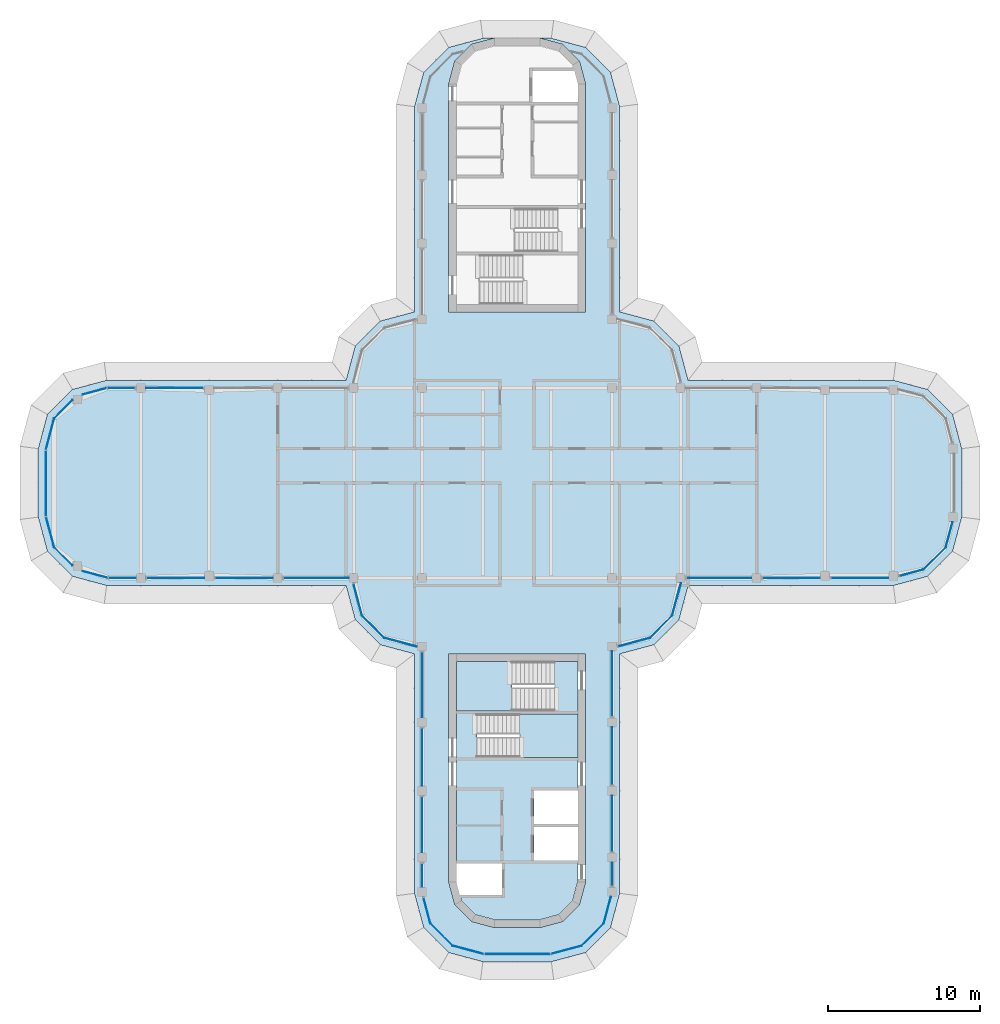
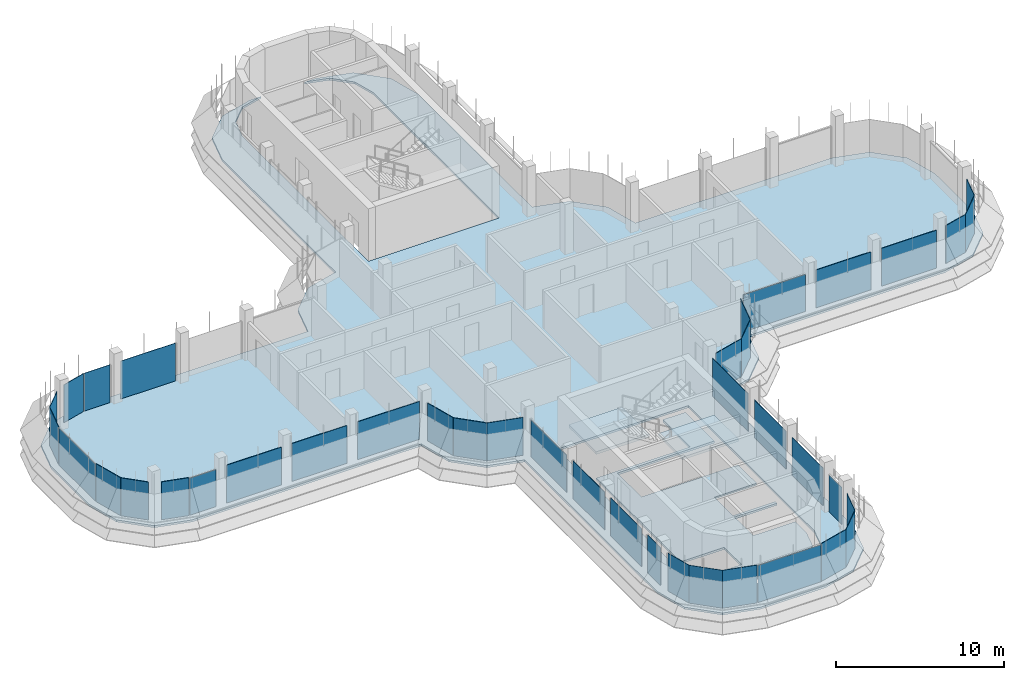
# One storey, part 11 of 19: 40 plates, 4 slabs, 30 elements without a shape of their own.
"""IFC4 building model written with IfcOpenShell, lengths in metres."""

from ifc_helpers import new_model, si_unit, direction, frame, origin, place, context, subcontext, project, spatial, polyline, outline, extrude, source, transform, mapped, material, layer, layer_set, type_object, element, aggregate, save


model = new_model("IFC4")

# Units and contexts
model_context = context("Model", 3, precision=1e-05, world=origin(), true_north=direction((0.0, 1.0)))
body_context = subcontext(model_context, "Body", "Model", "MODEL_VIEW")
ifc_project = project(units=[si_unit("LENGTHUNIT", "METRE"), si_unit("AREAUNIT", "SQUARE_METRE"), si_unit("VOLUMEUNIT", "CUBIC_METRE"), si_unit("PLANEANGLEUNIT", "RADIAN"), si_unit("MASSUNIT", "GRAM", prefix="KILO")], contexts=[model_context])

# Site, building, storey
site_placement = place(None, origin())
site = spatial("IfcSite", under=ifc_project, at=site_placement, CompositionType="ELEMENT")
building_placement = place(site_placement, origin())
building = spatial("IfcBuilding", under=site, at=building_placement, Name="Zarbagh Exchange Tower", CompositionType="ELEMENT")
storey_placement = place(building_placement, frame((0.0, 0.0, 261.199951171875)))
storey = spatial("IfcBuildingStorey", under=building, at=storey_placement, Name="L64", CompositionType="ELEMENT", Elevation=261.199951171875)

# Slabs
ifc_material_1 = material(Name="Concrete C40/50", Category="concrete")
ifc_layer_1 = layer(ifc_material_1, 0.14990234375)
ifc_layer_set_1 = layer_set([ifc_layer_1], Name="Composite floor slab 150 C40/50")
slab_type_1 = type_object("IfcSlabType", Name="Composite floor slab 150 C40/50", PredefinedType="FLOOR", material=ifc_layer_set_1)
slab_1_placement = place(storey_placement, frame((0.0, 0.0, -0.14990234375)))
element("IfcSlab", 1, at=slab_1_placement, inside=storey, type_object=slab_type_1, Name="S5 composite floor slab", PredefinedType="FLOOR", context=body_context, shape_type="SweptSolid", body=[
    extrude(outline(polyline([(-2.25, -31.5), (-4.5, -30.897216796875), (-6.147216796875, -29.25), (-6.75, -27.0), (-6.75, -11.25), (-9.0, -10.647216796875), (-10.647216796875, -9.0), (-11.25, -6.75), (-27.0, -6.75), (-29.25, -6.147216796875), (-30.897216796875, -4.5), (-31.5, -2.25), (-31.5, 2.25), (-30.897216796875, 4.5), (-29.25, 6.147216796875), (-27.0, 6.75), (-11.25, 6.75), (-10.647216796875, 9.0), (-9.0, 10.647216796875), (-6.75, 11.25), (-6.75, 24.75), (-6.147216796875, 27.0), (-4.5, 28.647216796875), (-2.25, 29.25), (-1.5, 29.25), (-3.0, 28.84814453125), (-4.09814453125, 27.75), (-4.5, 26.25), (-4.5, 11.25), (4.5, 11.25), (4.5, 26.25), (4.09814453125, 27.75), (3.0, 28.84814453125), (1.5, 29.25), (2.25, 29.25), (4.5, 28.647216796875), (6.147216796875, 27.0), (6.75, 24.75), (6.75, 11.25), (9.0, 10.647216796875), (10.647216796875, 9.0), (11.25, 6.75), (24.75, 6.75), (27.0, 6.147216796875), (28.647216796875, 4.5), (29.25, 2.25), (29.25, -2.25), (28.647216796875, -4.5), (27.0, -6.147216796875), (24.75, -6.75), (11.25, -6.75), (10.647216796875, -9.0), (9.0, -10.647216796875), (6.75, -11.25), (6.75, -27.0), (6.147216796875, -29.25), (4.5, -30.897216796875), (2.25, -31.5), (-2.25, -31.5)]), holes=[polyline([(-1.5, -29.25), (1.5, -29.25), (3.0, -28.84814453125), (4.09814453125, -27.75), (4.5, -26.25), (4.5, -11.25), (-4.5, -11.25), (-4.5, -26.25), (-4.09814453125, -27.75), (-3.0, -28.84814453125), (-1.5, -29.25)])]), origin(), (0.0, 0.0, 1.0), 0.14990234375),
])
ifc_layer_2 = layer(ifc_material_1, 0.14990234375)
ifc_layer_set_2 = layer_set([ifc_layer_2], Name="Core floor slab 150 C40/50")
slab_type_2 = type_object("IfcSlabType", Name="Core floor slab 150 C40/50", PredefinedType="FLOOR", material=ifc_layer_set_2)
slab_2_placement = place(storey_placement, frame((0.0, 0.0, -0.14990234375)))
element("IfcSlab", 2, at=slab_2_placement, inside=storey, type_object=slab_type_2, Name="S17 core S", PredefinedType="FLOOR", context=body_context, shape_type="SweptSolid", body=[
    extrude(outline(polyline([(-2.7412109375, -28.39990234375), (-3.64990234375, -27.4912109375), (-3.857666015625, -26.715087890625), (-3.754638671875, -27.10009765625), (-1.0, -27.10009765625), (-1.0, -25.050048828125), (-4.0, -25.050048828125), (-4.0, -15.0), (2.449951171875, -15.0), (2.449951171875, -11.75), (4.0, -11.75), (4.0, -15.199951171875), (-2.64990234375, -15.199951171875), (-2.64990234375, -18.050048828125), (4.0, -18.050048828125), (4.0, -20.25), (1.10009765625, -20.25), (1.10009765625, -22.449951171875), (4.0, -22.449951171875), (4.0, -22.64990234375), (1.10009765625, -22.64990234375), (1.10009765625, -24.85009765625), (4.0, -24.85009765625), (4.0, -26.18408203125), (3.64990234375, -27.4912109375), (2.7412109375, -28.39990234375), (1.43408203125, -28.75), (-1.43408203125, -28.75), (-2.7412109375, -28.39990234375)])), origin(), (0.0, 0.0, 1.0), 0.14990234375),
])

# Stair, slab
stair_type = type_object("IfcStairType", Name="Exit stair two-flight half-turn", PredefinedType="HALF_TURN_STAIR", material=ifc_material_1)
stair_1_placement = place(storey_placement, origin())
stair_1 = element("IfcStair", 3, at=stair_1_placement, inside=storey, type_object=stair_type, Name="exit stair ST3", PredefinedType="HALF_TURN_STAIR")
ifc_layer_3 = layer(ifc_material_1, 0.199951171875)
ifc_layer_set_3 = layer_set([ifc_layer_3], Name="Stair landing 200 mm")
slab_type_3 = type_object("IfcSlabType", Name="Stair landing 200 mm", PredefinedType="LANDING", material=ifc_layer_set_3)
slab_3_placement = place(storey_placement, frame((0.0, 0.0, 1.699951171875)))
slab_3 = element("IfcSlab", 4, at=slab_3_placement, type_object=slab_type_3, Name="ST3 landing 1", PredefinedType="LANDING", context=body_context, shape_type="SweptSolid", body=[
    extrude(outline(polyline([(0.14990234375, -18.050048828125), (4.0, -18.050048828125), (4.0, -15.199951171875), (0.14990234375, -15.199951171875), (0.14990234375, -18.050048828125)])), origin(), (0.0, 0.0, 1.0), 0.2001953125),
])
aggregate(stair_1, [slab_3])

stair_2_placement = place(storey_placement, origin())
stair_2 = element("IfcStair", 5, at=stair_2_placement, inside=storey, type_object=stair_type, Name="exit stair ST4", PredefinedType="HALF_TURN_STAIR")
slab_4_placement = place(storey_placement, frame((0.0, 0.0, 1.699951171875)))
slab_4 = element("IfcSlab", 6, at=slab_4_placement, type_object=slab_type_3, Name="ST4 landing 1", PredefinedType="LANDING", context=body_context, shape_type="SweptSolid", body=[
    extrude(outline(polyline([(-0.35009765625, -11.75), (-4.0, -11.75), (-4.0, -15.0), (-0.35009765625, -15.0), (-0.35009765625, -11.75)])), origin(), (0.0, 0.0, 1.0), 0.2001953125),
])
aggregate(stair_2, [slab_4])

# Curtain wall, plate
ifc_material_2 = material(Name="Anodised aluminium frame and glazing", Category="aluminium")
curtain_wall_type = type_object("IfcCurtainWallType", Name="CWB Ribbon glazing, upper zones", PredefinedType="NOTDEFINED", material=ifc_material_2)
curtain_wall_1_placement = place(storey_placement, origin())
curtain_wall_1 = element("IfcCurtainWall", 7, at=curtain_wall_1_placement, inside=storey, type_object=curtain_wall_type, Name="CWB50 curtain wall", PredefinedType="NOTDEFINED")
ifc_material_3 = material(Name="Low-e double glazed unit, 6+12+6 mm")
ifc_layer_4 = layer(ifc_material_3, 0.031982421875)
ifc_layer_set_4 = layer_set([ifc_layer_4], Name="PAB Glazing panel, Low-e double glazed unit, 6+12+6 mm")
plate_type = type_object("IfcPlateType", Name="PAB Glazing panel, Low-e double glazed unit, 6+12+6 mm", PredefinedType="CURTAIN_PANEL", material=ifc_layer_set_4)
shared_shape_1 = source(origin(), body_context, "Body", "SweptSolid", [
    extrude(outline(polyline([(0.0, -0.01611328125), (2.061279296875, -0.01611328125), (2.061279296875, 0.01611328125), (0.0, 0.01611328125), (0.0, -0.01611328125)])), origin(), (0.0, 0.0, 1.0), 2.75),
])
placement = place(storey_placement, origin())
plate_1 = element("IfcPlate", 8, at=placement, type_object=plate_type, Name="CWB50 glazing panel 1.1", PredefinedType="CURTAIN_PANEL", context=body_context, shape_type="MappedRepresentation", body=[
    mapped(shared_shape_1, transform((4.2412109375, -30.44873046875, 0.0), x_axis=(0.707106781187, 0.707106781187, 0.0), y_axis=(-0.707106781187, 0.707106781187, 0.0), z_axis=(0.0, 0.0, 1.0))),
])
aggregate(curtain_wall_1, [plate_1])

curtain_wall_2_placement = place(storey_placement, origin())
curtain_wall_2 = element("IfcCurtainWall", 9, at=curtain_wall_2_placement, inside=storey, type_object=curtain_wall_type, Name="CWB06 curtain wall", PredefinedType="NOTDEFINED")
plate_2 = element("IfcPlate", 10, at=placement, type_object=plate_type, Name="CWB06 glazing panel 1.1", PredefinedType="CURTAIN_PANEL", context=body_context, shape_type="MappedRepresentation", body=[
    mapped(shared_shape_1, transform((8.7412109375, -10.19873046875, 0.0), x_axis=(0.707106781187, 0.707106781187, 0.0), y_axis=(-0.707106781187, 0.707106781187, 0.0), z_axis=(0.0, 0.0, 1.0))),
])
aggregate(curtain_wall_2, [plate_2])

curtain_wall_3_placement = place(storey_placement, origin())
curtain_wall_3 = element("IfcCurtainWall", 11, at=curtain_wall_3_placement, inside=storey, type_object=curtain_wall_type, Name="CWB77 curtain wall", PredefinedType="NOTDEFINED")
plate_3 = element("IfcPlate", 12, at=placement, type_object=plate_type, Name="CWB77 glazing panel 1.1", PredefinedType="CURTAIN_PANEL", context=body_context, shape_type="MappedRepresentation", body=[
    mapped(shared_shape_1, transform((26.7412109375, -5.69873046875, 0.0), x_axis=(0.707106781187, 0.707106781187, 0.0), y_axis=(-0.707106781187, 0.707106781187, 0.0), z_axis=(0.0, 0.0, 1.0))),
])
aggregate(curtain_wall_3, [plate_3])

curtain_wall_4_placement = place(storey_placement, origin())
curtain_wall_4 = element("IfcCurtainWall", 13, at=curtain_wall_4_placement, inside=storey, type_object=curtain_wall_type, Name="CWB42 curtain wall", PredefinedType="NOTDEFINED")
plate_4 = element("IfcPlate", 14, at=placement, type_object=plate_type, Name="CWB42 glazing panel 1.1", PredefinedType="CURTAIN_PANEL", context=body_context, shape_type="MappedRepresentation", body=[
    mapped(shared_shape_1, transform((-10.19873046875, -8.7412109375, 0.0), x_axis=(0.707106781187, -0.707106781187, 0.0), y_axis=(0.707106781187, 0.707106781187, 0.0), z_axis=(0.0, 0.0, 1.0))),
])
aggregate(curtain_wall_4, [plate_4])

curtain_wall_5_placement = place(storey_placement, origin())
curtain_wall_5 = element("IfcCurtainWall", 15, at=curtain_wall_5_placement, inside=storey, type_object=curtain_wall_type, Name="CWB55 curtain wall", PredefinedType="NOTDEFINED")
plate_5 = element("IfcPlate", 16, at=placement, type_object=plate_type, Name="CWB55 glazing panel 1.1", PredefinedType="CURTAIN_PANEL", context=body_context, shape_type="MappedRepresentation", body=[
    mapped(shared_shape_1, transform((-5.69873046875, -28.9912109375, 0.0), x_axis=(0.707106781187, -0.707106781187, 0.0), y_axis=(0.707106781187, 0.707106781187, 0.0), z_axis=(0.0, 0.0, 1.0))),
])
aggregate(curtain_wall_5, [plate_5])

curtain_wall_6_placement = place(storey_placement, origin())
curtain_wall_6 = element("IfcCurtainWall", 17, at=curtain_wall_6_placement, inside=storey, type_object=curtain_wall_type, Name="CWB61 curtain wall", PredefinedType="NOTDEFINED")
shared_shape_2 = source(origin(), body_context, "Body", "SweptSolid", [
    extrude(outline(polyline([(0.0, -0.01611328125), (2.129638671875, -0.01611328125), (2.129638671875, 0.01611328125), (0.0, 0.01611328125), (0.0, -0.01611328125)])), origin(), (0.0, 0.0, 1.0), 2.75),
])
plate_6 = element("IfcPlate", 18, at=placement, type_object=plate_type, Name="CWB61 glazing panel 1.1", PredefinedType="CURTAIN_PANEL", context=body_context, shape_type="MappedRepresentation", body=[
    mapped(shared_shape_2, transform((-30.44873046875, 4.2412109375, 0.0), x_axis=(-0.258824779902, -0.965924289636, 0.0), y_axis=(0.965924289636, -0.258824779902, 0.0), z_axis=(0.0, 0.0, 1.0))),
])
aggregate(curtain_wall_6, [plate_6])

curtain_wall_7_placement = place(storey_placement, origin())
curtain_wall_7 = element("IfcCurtainWall", 19, at=curtain_wall_7_placement, inside=storey, type_object=curtain_wall_type, Name="CWB56 curtain wall", PredefinedType="NOTDEFINED")
plate_7 = element("IfcPlate", 20, at=placement, type_object=plate_type, Name="CWB56 glazing panel 1.1", PredefinedType="CURTAIN_PANEL", context=body_context, shape_type="MappedRepresentation", body=[
    mapped(shared_shape_2, transform((-4.2412109375, -30.44873046875, 0.0), x_axis=(0.965924289636, -0.258824779902, 0.0), y_axis=(0.258824779902, 0.965924289636, 0.0), z_axis=(0.0, 0.0, 1.0))),
])
aggregate(curtain_wall_7, [plate_7])

curtain_wall_8_placement = place(storey_placement, origin())
curtain_wall_8 = element("IfcCurtainWall", 21, at=curtain_wall_8_placement, inside=storey, type_object=curtain_wall_type, Name="CWB65 curtain wall", PredefinedType="NOTDEFINED")
shared_shape_3 = source(origin(), body_context, "Body", "SweptSolid", [
    extrude(outline(polyline([(0.0, -0.01611328125), (1.7841796875, -0.01611328125), (1.7841796875, 0.01611328125), (0.0, 0.01611328125), (0.0, -0.01611328125)])), origin(), (0.0, 0.0, 1.0), 2.68994140625),
])
plate_8 = element("IfcPlate", 22, at=placement, type_object=plate_type, Name="CWB65 glazing panel 1.1", PredefinedType="CURTAIN_PANEL", context=body_context, shape_type="MappedRepresentation", body=[
    mapped(shared_shape_3, transform((-26.874267578125, -6.25, 0.0), x_axis=(1.0, 0.0, 0.0), y_axis=(0.0, 1.0, 0.0), z_axis=(0.0, 0.0, 1.0))),
])

curtain_wall_9_placement = place(storey_placement, origin())
curtain_wall_9 = element("IfcCurtainWall", 23, at=curtain_wall_9_placement, inside=storey, type_object=curtain_wall_type, Name="CWB66 curtain wall", PredefinedType="NOTDEFINED")
shared_shape_4 = source(origin(), body_context, "Body", "SweptSolid", [
    extrude(outline(polyline([(0.0, -0.01611328125), (4.308349609375, -0.01611328125), (4.308349609375, 0.01611328125), (0.0, 0.01611328125), (0.0, -0.01611328125)])), origin(), (0.0, 0.0, 1.0), 2.68994140625),
])
plate_9 = element("IfcPlate", 24, at=placement, type_object=plate_type, Name="CWB66 glazing panel 1.1", PredefinedType="CURTAIN_PANEL", context=body_context, shape_type="MappedRepresentation", body=[
    mapped(shared_shape_4, transform((-31.0, 2.124267578125, 0.0), x_axis=(0.0, -1.0, 0.0), y_axis=(1.0, 0.0, 0.0), z_axis=(0.0, 0.0, 1.0))),
])
aggregate(curtain_wall_9, [plate_9])

curtain_wall_10_placement = place(storey_placement, origin())
curtain_wall_10 = element("IfcCurtainWall", 25, at=curtain_wall_10_placement, inside=storey, type_object=curtain_wall_type, Name="CWB57 curtain wall", PredefinedType="NOTDEFINED")
plate_10 = element("IfcPlate", 26, at=placement, type_object=plate_type, Name="CWB57 glazing panel 1.1", PredefinedType="CURTAIN_PANEL", context=body_context, shape_type="MappedRepresentation", body=[
    mapped(shared_shape_4, transform((-2.124267578125, -31.0, 0.0), x_axis=(1.0, 0.0, 0.0), y_axis=(0.0, 1.0, 0.0), z_axis=(0.0, 0.0, 1.0))),
])
aggregate(curtain_wall_10, [plate_10])

curtain_wall_11_placement = place(storey_placement, origin())
curtain_wall_11 = element("IfcCurtainWall", 27, at=curtain_wall_11_placement, inside=storey, type_object=curtain_wall_type, Name="CWB49 curtain wall", PredefinedType="NOTDEFINED")
shared_shape_5 = source(origin(), body_context, "Body", "SweptSolid", [
    extrude(outline(polyline([(0.0, -0.01611328125), (2.069580078125, -0.01611328125), (2.069580078125, 0.01611328125), (0.0, 0.01611328125), (0.0, -0.01611328125)])), origin(), (0.0, 0.0, 1.0), 2.75),
])
plate_11 = element("IfcPlate", 28, at=placement, type_object=plate_type, Name="CWB49 glazing panel 1.1", PredefinedType="CURTAIN_PANEL", context=body_context, shape_type="MappedRepresentation", body=[
    mapped(shared_shape_5, transform((2.2421875, -30.984375, 0.0), x_axis=(0.965924289636, 0.258824779902, 0.0), y_axis=(-0.258824779902, 0.965924289636, 0.0), z_axis=(0.0, 0.0, 1.0))),
])
aggregate(curtain_wall_11, [plate_11])

curtain_wall_12_placement = place(storey_placement, origin())
curtain_wall_12 = element("IfcCurtainWall", 29, at=curtain_wall_12_placement, inside=storey, type_object=curtain_wall_type, Name="CWB62 curtain wall", PredefinedType="NOTDEFINED")
plate_12 = element("IfcPlate", 30, at=placement, type_object=plate_type, Name="CWB62 glazing panel 1.1", PredefinedType="CURTAIN_PANEL", context=body_context, shape_type="MappedRepresentation", body=[
    mapped(shared_shape_5, transform((-30.984375, -2.2421875, 0.0), x_axis=(0.258824779902, -0.965924289636, 0.0), y_axis=(0.965924289636, 0.258824779902, 0.0), z_axis=(0.0, 0.0, 1.0))),
])
aggregate(curtain_wall_12, [plate_12])

curtain_wall_13_placement = place(storey_placement, origin())
curtain_wall_13 = element("IfcCurtainWall", 31, at=curtain_wall_13_placement, inside=storey, type_object=curtain_wall_type, Name="CWB58 curtain wall", PredefinedType="NOTDEFINED")
shared_shape_6 = source(origin(), body_context, "Body", "SweptSolid", [
    extrude(outline(polyline([(0.0, -0.01611328125), (1.7841796875, -0.01611328125), (1.7841796875, 0.01611328125), (0.0, 0.01611328125), (0.0, -0.01611328125)])), origin(), (0.0, 0.0, 1.0), 2.75),
])
plate_13 = element("IfcPlate", 32, at=placement, type_object=plate_type, Name="CWB58 glazing panel 4.1", PredefinedType="CURTAIN_PANEL", context=body_context, shape_type="MappedRepresentation", body=[
    mapped(shared_shape_6, transform((-25.150146484375, 6.25, 0.0), x_axis=(-1.0, 0.0, 0.0), y_axis=(0.0, -1.0, 0.0), z_axis=(0.0, 0.0, 1.0))),
])

curtain_wall_14_placement = place(storey_placement, origin())
curtain_wall_14 = element("IfcCurtainWall", 33, at=curtain_wall_14_placement, inside=storey, type_object=curtain_wall_type, Name="CWB78 curtain wall", PredefinedType="NOTDEFINED")
shared_shape_7 = source(origin(), body_context, "Body", "SweptSolid", [
    extrude(outline(polyline([(0.0, -0.01611328125), (1.70947265625, -0.01611328125), (1.70947265625, 0.01611328125), (0.0, 0.01611328125), (0.0, -0.01611328125)])), origin(), (0.0, 0.0, 1.0), 2.75),
])
plate_14 = element("IfcPlate", 34, at=placement, type_object=plate_type, Name="CWB78 glazing panel 1.1", PredefinedType="CURTAIN_PANEL", context=body_context, shape_type="MappedRepresentation", body=[
    mapped(shared_shape_7, transform((28.19873046875, -4.2412109375, 0.0), x_axis=(0.258824779902, 0.965924289636, 0.0), y_axis=(-0.965924289636, 0.258824779902, 0.0), z_axis=(0.0, 0.0, 1.0))),
])
aggregate(curtain_wall_14, [plate_14])

curtain_wall_15_placement = place(storey_placement, origin())
curtain_wall_15 = element("IfcCurtainWall", 35, at=curtain_wall_15_placement, inside=storey, type_object=curtain_wall_type, Name="CWB76 curtain wall", PredefinedType="NOTDEFINED")
shared_shape_8 = source(origin(), body_context, "Body", "SweptSolid", [
    extrude(outline(polyline([(0.0, -0.01611328125), (1.6494140625, -0.01611328125), (1.6494140625, 0.01611328125), (0.0, 0.01611328125), (0.0, -0.01611328125)])), origin(), (0.0, 0.0, 1.0), 2.75),
])
plate_15 = element("IfcPlate", 36, at=placement, type_object=plate_type, Name="CWB76 glazing panel 1.1", PredefinedType="CURTAIN_PANEL", context=body_context, shape_type="MappedRepresentation", body=[
    mapped(shared_shape_8, transform((25.14794921875, -6.125732421875, 0.0), x_axis=(0.965924289636, 0.258824779902, 0.0), y_axis=(-0.258824779902, 0.965924289636, 0.0), z_axis=(0.0, 0.0, 1.0))),
])
aggregate(curtain_wall_15, [plate_15])

curtain_wall_16_placement = place(storey_placement, origin())
curtain_wall_16 = element("IfcCurtainWall", 37, at=curtain_wall_16_placement, inside=storey, type_object=curtain_wall_type, Name="CWB52 curtain wall", PredefinedType="NOTDEFINED")
shared_shape_9 = source(origin(), body_context, "Body", "SweptSolid", [
    extrude(outline(polyline([(0.0, -0.01611328125), (3.659912109375, -0.01611328125), (3.659912109375, 0.01611328125), (0.0, 0.01611328125), (0.0, -0.01611328125)])), origin(), (0.0, 0.0, 1.0), 2.75),
])
plate_16 = element("IfcPlate", 38, at=placement, type_object=plate_type, Name="CWB52 glazing panel 2.1", PredefinedType="CURTAIN_PANEL", context=body_context, shape_type="MappedRepresentation", body=[
    mapped(shared_shape_9, transform((6.25, -24.25, 0.0), x_axis=(0.0, 1.0, 0.0), y_axis=(-1.0, 0.0, 0.0), z_axis=(0.0, 0.0, 1.0))),
])

curtain_wall_17_placement = place(storey_placement, origin())
curtain_wall_17 = element("IfcCurtainWall", 39, at=curtain_wall_17_placement, inside=storey, type_object=curtain_wall_type, Name="CWB53 curtain wall", PredefinedType="NOTDEFINED")
plate_17 = element("IfcPlate", 40, at=placement, type_object=plate_type, Name="CWB53 glazing panel 3.1", PredefinedType="CURTAIN_PANEL", context=body_context, shape_type="MappedRepresentation", body=[
    mapped(shared_shape_9, transform((-6.25, -20.650146484375, 0.0), x_axis=(0.0, -1.0, 0.0), y_axis=(1.0, 0.0, 0.0), z_axis=(0.0, 0.0, 1.0))),
])

curtain_wall_18_placement = place(storey_placement, origin())
curtain_wall_18 = element("IfcCurtainWall", 41, at=curtain_wall_18_placement, inside=storey, type_object=curtain_wall_type, Name="CWB51 curtain wall", PredefinedType="NOTDEFINED")
shared_shape_10 = source(origin(), body_context, "Body", "SweptSolid", [
    extrude(outline(polyline([(0.0, -0.01611328125), (1.81298828125, -0.01611328125), (1.81298828125, 0.01611328125), (0.0, 0.01611328125), (0.0, -0.01611328125)])), origin(), (0.0, 0.0, 1.0), 2.75),
])
plate_18 = element("IfcPlate", 42, at=placement, type_object=plate_type, Name="CWB51 glazing panel 1.1", PredefinedType="CURTAIN_PANEL", context=body_context, shape_type="MappedRepresentation", body=[
    mapped(shared_shape_10, transform((5.69873046875, -28.9912109375, 0.0), x_axis=(0.258824779902, 0.965924289636, 0.0), y_axis=(-0.965924289636, 0.258824779902, 0.0), z_axis=(0.0, 0.0, 1.0))),
])
aggregate(curtain_wall_18, [plate_18])

# Plate
shared_shape_11 = source(origin(), body_context, "Body", "SweptSolid", [
    extrude(outline(polyline([(0.0, -0.01611328125), (1.510009765625, -0.01611328125), (1.510009765625, 0.01611328125), (0.0, 0.01611328125), (0.0, -0.01611328125)])), origin(), (0.0, 0.0, 1.0), 2.68994140625),
])
plate_19 = element("IfcPlate", 43, at=placement, type_object=plate_type, Name="CWB52 glazing panel 1.1", PredefinedType="CURTAIN_PANEL", context=body_context, shape_type="MappedRepresentation", body=[
    mapped(shared_shape_11, transform((6.25, -26.5, 0.0), x_axis=(0.0, 1.0, 0.0), y_axis=(-1.0, 0.0, 0.0), z_axis=(0.0, 0.0, 1.0))),
])

shared_shape_12 = source(origin(), body_context, "Body", "SweptSolid", [
    extrude(outline(polyline([(0.0, -0.01611328125), (3.760009765625, -0.01611328125), (3.760009765625, 0.01611328125), (0.0, 0.01611328125), (0.0, -0.01611328125)])), origin(), (0.0, 0.0, 1.0), 2.75),
])
plate_20 = element("IfcPlate", 44, at=placement, type_object=plate_type, Name="CWB52 glazing panel 3.1", PredefinedType="CURTAIN_PANEL", context=body_context, shape_type="MappedRepresentation", body=[
    mapped(shared_shape_12, transform((6.25, -19.849853515625, 0.0), x_axis=(0.0, 1.0, 0.0), y_axis=(-1.0, 0.0, 0.0), z_axis=(0.0, 0.0, 1.0))),
])

# Curtain wall, plates
curtain_wall_19_placement = place(storey_placement, origin())
curtain_wall_19 = element("IfcCurtainWall", 45, at=curtain_wall_19_placement, inside=storey, type_object=curtain_wall_type, Name="CWB75 curtain wall", PredefinedType="NOTDEFINED")
plate_21 = element("IfcPlate", 46, at=placement, type_object=plate_type, Name="CWB75 glazing panel 2.1", PredefinedType="CURTAIN_PANEL", context=body_context, shape_type="MappedRepresentation", body=[
    mapped(shared_shape_12, transform((16.150146484375, -6.25, 0.0), x_axis=(1.0, 0.0, 0.0), y_axis=(0.0, 1.0, 0.0), z_axis=(0.0, 0.0, 1.0))),
])
plate_22 = element("IfcPlate", 47, at=placement, type_object=plate_type, Name="CWB75 glazing panel 3.1", PredefinedType="CURTAIN_PANEL", context=body_context, shape_type="MappedRepresentation", body=[
    mapped(shared_shape_12, transform((20.650146484375, -6.25, 0.0), x_axis=(1.0, 0.0, 0.0), y_axis=(0.0, 1.0, 0.0), z_axis=(0.0, 0.0, 1.0))),
])

# Plate
plate_23 = element("IfcPlate", 48, at=placement, type_object=plate_type, Name="CWB58 glazing panel 3.1", PredefinedType="CURTAIN_PANEL", context=body_context, shape_type="MappedRepresentation", body=[
    mapped(shared_shape_12, transform((-20.650146484375, 6.25, 0.0), x_axis=(-1.0, 0.0, 0.0), y_axis=(0.0, -1.0, 0.0), z_axis=(0.0, 0.0, 1.0))),
])

aggregate(curtain_wall_13, [plate_23, plate_13])

plate_24 = element("IfcPlate", 49, at=placement, type_object=plate_type, Name="CWB65 glazing panel 2.1", PredefinedType="CURTAIN_PANEL", context=body_context, shape_type="MappedRepresentation", body=[
    mapped(shared_shape_12, transform((-24.349853515625, -6.25, 0.0), x_axis=(1.0, 0.0, 0.0), y_axis=(0.0, 1.0, 0.0), z_axis=(0.0, 0.0, 1.0))),
])

plate_25 = element("IfcPlate", 50, at=placement, type_object=plate_type, Name="CWB65 glazing panel 3.1", PredefinedType="CURTAIN_PANEL", context=body_context, shape_type="MappedRepresentation", body=[
    mapped(shared_shape_12, transform((-19.849853515625, -6.25, 0.0), x_axis=(1.0, 0.0, 0.0), y_axis=(0.0, 1.0, 0.0), z_axis=(0.0, 0.0, 1.0))),
])

plate_26 = element("IfcPlate", 51, at=placement, type_object=plate_type, Name="CWB53 glazing panel 2.1", PredefinedType="CURTAIN_PANEL", context=body_context, shape_type="MappedRepresentation", body=[
    mapped(shared_shape_12, transform((-6.25, -16.150146484375, 0.0), x_axis=(0.0, -1.0, 0.0), y_axis=(1.0, 0.0, 0.0), z_axis=(0.0, 0.0, 1.0))),
])

shared_shape_13 = source(origin(), body_context, "Body", "SweptSolid", [
    extrude(outline(polyline([(0.0, -0.01611328125), (4.260009765625, -0.01611328125), (4.260009765625, 0.01611328125), (0.0, 0.01611328125), (0.0, -0.01611328125)])), origin(), (0.0, 0.0, 1.0), 2.75),
])
plate_27 = element("IfcPlate", 52, at=placement, type_object=plate_type, Name="CWB52 glazing panel 4.1", PredefinedType="CURTAIN_PANEL", context=body_context, shape_type="MappedRepresentation", body=[
    mapped(shared_shape_13, transform((6.25, -15.349853515625, 0.0), x_axis=(0.0, 1.0, 0.0), y_axis=(-1.0, 0.0, 0.0), z_axis=(0.0, 0.0, 1.0))),
])

aggregate(curtain_wall_16, [plate_19, plate_16, plate_20, plate_27])

plate_28 = element("IfcPlate", 53, at=placement, type_object=plate_type, Name="CWB65 glazing panel 4.1", PredefinedType="CURTAIN_PANEL", context=body_context, shape_type="MappedRepresentation", body=[
    mapped(shared_shape_13, transform((-15.349853515625, -6.25, 0.0), x_axis=(1.0, 0.0, 0.0), y_axis=(0.0, 1.0, 0.0), z_axis=(0.0, 0.0, 1.0))),
])

aggregate(curtain_wall_8, [plate_8, plate_24, plate_25, plate_28])

# Curtain wall, plate
curtain_wall_20_placement = place(storey_placement, origin())
curtain_wall_20 = element("IfcCurtainWall", 54, at=curtain_wall_20_placement, inside=storey, type_object=curtain_wall_type, Name="CWB05 curtain wall", PredefinedType="NOTDEFINED")
shared_shape_14 = source(origin(), body_context, "Body", "SweptSolid", [
    extrude(outline(polyline([(0.0, -0.01611328125), (2.1669921875, -0.01611328125), (2.1669921875, 0.01611328125), (0.0, 0.01611328125), (0.0, -0.01611328125)])), origin(), (0.0, 0.0, 1.0), 2.75),
])
plate_29 = element("IfcPlate", 55, at=placement, type_object=plate_type, Name="CWB05 glazing panel 1.1", PredefinedType="CURTAIN_PANEL", context=body_context, shape_type="MappedRepresentation", body=[
    mapped(shared_shape_14, transform((6.64794921875, -10.759765625, 0.0), x_axis=(0.965924289636, 0.258824779902, 0.0), y_axis=(-0.258824779902, 0.965924289636, 0.0), z_axis=(0.0, 0.0, 1.0))),
])
aggregate(curtain_wall_20, [plate_29])

curtain_wall_21_placement = place(storey_placement, origin())
curtain_wall_21 = element("IfcCurtainWall", 56, at=curtain_wall_21_placement, inside=storey, type_object=curtain_wall_type, Name="CWB41 curtain wall", PredefinedType="NOTDEFINED")
plate_30 = element("IfcPlate", 57, at=placement, type_object=plate_type, Name="CWB41 glazing panel 1.1", PredefinedType="CURTAIN_PANEL", context=body_context, shape_type="MappedRepresentation", body=[
    mapped(shared_shape_14, transform((-10.759765625, -6.64794921875, 0.0), x_axis=(0.258824779902, -0.965924289636, 0.0), y_axis=(0.965924289636, 0.258824779902, 0.0), z_axis=(0.0, 0.0, 1.0))),
])
aggregate(curtain_wall_21, [plate_30])

curtain_wall_22_placement = place(storey_placement, origin())
curtain_wall_22 = element("IfcCurtainWall", 58, at=curtain_wall_22_placement, inside=storey, type_object=curtain_wall_type, Name="CWB07 curtain wall", PredefinedType="NOTDEFINED")
shared_shape_15 = source(origin(), body_context, "Body", "SweptSolid", [
    extrude(outline(polyline([(0.0, -0.01611328125), (2.22705078125, -0.01611328125), (2.22705078125, 0.01611328125), (0.0, 0.01611328125), (0.0, -0.01611328125)])), origin(), (0.0, 0.0, 1.0), 2.75),
])
plate_31 = element("IfcPlate", 59, at=placement, type_object=plate_type, Name="CWB07 glazing panel 1.1", PredefinedType="CURTAIN_PANEL", context=body_context, shape_type="MappedRepresentation", body=[
    mapped(shared_shape_15, transform((10.19873046875, -8.7412109375, 0.0), x_axis=(0.258824779902, 0.965924289636, 0.0), y_axis=(-0.965924289636, 0.258824779902, 0.0), z_axis=(0.0, 0.0, 1.0))),
])
aggregate(curtain_wall_22, [plate_31])

curtain_wall_23_placement = place(storey_placement, origin())
curtain_wall_23 = element("IfcCurtainWall", 60, at=curtain_wall_23_placement, inside=storey, type_object=curtain_wall_type, Name="CWB43 curtain wall", PredefinedType="NOTDEFINED")
plate_32 = element("IfcPlate", 61, at=placement, type_object=plate_type, Name="CWB43 glazing panel 1.1", PredefinedType="CURTAIN_PANEL", context=body_context, shape_type="MappedRepresentation", body=[
    mapped(shared_shape_15, transform((-8.7412109375, -10.19873046875, 0.0), x_axis=(0.965924289636, -0.258824779902, 0.0), y_axis=(0.258824779902, 0.965924289636, 0.0), z_axis=(0.0, 0.0, 1.0))),
])
aggregate(curtain_wall_23, [plate_32])

# Plate
shared_shape_16 = source(origin(), body_context, "Body", "SweptSolid", [
    extrude(outline(polyline([(0.0, -0.01611328125), (4.260009765625, -0.01611328125), (4.260009765625, 0.01611328125), (0.0, 0.01611328125), (0.0, -0.01611328125)])), origin(), (0.0, 0.0, 1.0), 2.68994140625),
])
plate_33 = element("IfcPlate", 62, at=placement, type_object=plate_type, Name="CWB75 glazing panel 1.1", PredefinedType="CURTAIN_PANEL", context=body_context, shape_type="MappedRepresentation", body=[
    mapped(shared_shape_16, transform((11.150146484375, -6.25, 0.0), x_axis=(1.0, 0.0, 0.0), y_axis=(0.0, 1.0, 0.0), z_axis=(0.0, 0.0, 1.0))),
])

aggregate(curtain_wall_19, [plate_33, plate_21, plate_22])

plate_34 = element("IfcPlate", 63, at=placement, type_object=plate_type, Name="CWB53 glazing panel 1.1", PredefinedType="CURTAIN_PANEL", context=body_context, shape_type="MappedRepresentation", body=[
    mapped(shared_shape_16, transform((-6.25, -11.150146484375, 0.0), x_axis=(0.0, -1.0, 0.0), y_axis=(1.0, 0.0, 0.0), z_axis=(0.0, 0.0, 1.0))),
])

# Curtain wall, plate
curtain_wall_24_placement = place(storey_placement, origin())
curtain_wall_24 = element("IfcCurtainWall", 64, at=curtain_wall_24_placement, inside=storey, type_object=curtain_wall_type, Name="CWB54 curtain wall", PredefinedType="NOTDEFINED")
shared_shape_17 = source(origin(), body_context, "Body", "SweptSolid", [
    extrude(outline(polyline([(0.0, -0.01611328125), (1.7529296875, -0.01611328125), (1.7529296875, 0.01611328125), (0.0, 0.01611328125), (0.0, -0.01611328125)])), origin(), (0.0, 0.0, 1.0), 2.75),
])
plate_35 = element("IfcPlate", 65, at=placement, type_object=plate_type, Name="CWB54 glazing panel 1.1", PredefinedType="CURTAIN_PANEL", context=body_context, shape_type="MappedRepresentation", body=[
    mapped(shared_shape_17, transform((-6.152587890625, -27.2978515625, 0.0), x_axis=(0.258824779902, -0.965924289636, 0.0), y_axis=(0.965924289636, 0.258824779902, 0.0), z_axis=(0.0, 0.0, 1.0))),
])
aggregate(curtain_wall_24, [plate_35])

curtain_wall_25_placement = place(storey_placement, origin())
curtain_wall_25 = element("IfcCurtainWall", 66, at=curtain_wall_25_placement, inside=storey, type_object=curtain_wall_type, Name="CWB59 curtain wall", PredefinedType="NOTDEFINED")
shared_shape_18 = source(origin(), body_context, "Body", "SweptSolid", [
    extrude(outline(polyline([(0.0, -0.01611328125), (1.631591796875, -0.01611328125), (1.631591796875, 0.01611328125), (0.0, 0.01611328125), (0.0, -0.01611328125)])), origin(), (0.0, 0.0, 1.0), 2.75),
])
plate_36 = element("IfcPlate", 67, at=placement, type_object=plate_type, Name="CWB59 glazing panel 1.1", PredefinedType="CURTAIN_PANEL", context=body_context, shape_type="MappedRepresentation", body=[
    mapped(shared_shape_18, transform((-26.9921875, 6.234375, 0.0), x_axis=(-0.965924289636, -0.258824779902, 0.0), y_axis=(0.258824779902, -0.965924289636, 0.0), z_axis=(0.0, 0.0, 1.0))),
])
aggregate(curtain_wall_25, [plate_36])

curtain_wall_26_placement = place(storey_placement, origin())
curtain_wall_26 = element("IfcCurtainWall", 68, at=curtain_wall_26_placement, inside=storey, type_object=curtain_wall_type, Name="CWB60 curtain wall", PredefinedType="NOTDEFINED")
shared_shape_19 = source(origin(), body_context, "Body", "SweptSolid", [
    extrude(outline(polyline([(0.0, -0.01611328125), (1.6982421875, -0.01611328125), (1.6982421875, 0.01611328125), (0.0, 0.01611328125), (0.0, -0.01611328125)])), origin(), (0.0, 0.0, 1.0), 2.75),
])
plate_37 = element("IfcPlate", 69, at=placement, type_object=plate_type, Name="CWB60 glazing panel 1.1", PredefinedType="CURTAIN_PANEL", context=body_context, shape_type="MappedRepresentation", body=[
    mapped(shared_shape_19, transform((-29.248046875, 5.44189453125, 0.0), x_axis=(-0.707106781187, -0.707106781187, 0.0), y_axis=(0.707106781187, -0.707106781187, 0.0), z_axis=(0.0, 0.0, 1.0))),
])
aggregate(curtain_wall_26, [plate_37])

curtain_wall_27_placement = place(storey_placement, origin())
curtain_wall_27 = element("IfcCurtainWall", 70, at=curtain_wall_27_placement, inside=storey, type_object=curtain_wall_type, Name="CWB63 curtain wall", PredefinedType="NOTDEFINED")
plate_38 = element("IfcPlate", 71, at=placement, type_object=plate_type, Name="CWB63 glazing panel 1.1", PredefinedType="CURTAIN_PANEL", context=body_context, shape_type="MappedRepresentation", body=[
    mapped(shared_shape_19, transform((-30.44873046875, -4.2412109375, 0.0), x_axis=(0.707106781187, -0.707106781187, 0.0), y_axis=(0.707106781187, 0.707106781187, 0.0), z_axis=(0.0, 0.0, 1.0))),
])
aggregate(curtain_wall_27, [plate_38])

curtain_wall_28_placement = place(storey_placement, origin())
curtain_wall_28 = element("IfcCurtainWall", 72, at=curtain_wall_28_placement, inside=storey, type_object=curtain_wall_type, Name="CWB64 curtain wall", PredefinedType="NOTDEFINED")
shared_shape_20 = source(origin(), body_context, "Body", "SweptSolid", [
    extrude(outline(polyline([(0.0, -0.01611328125), (1.69140625, -0.01611328125), (1.69140625, 0.01611328125), (0.0, 0.01611328125), (0.0, -0.01611328125)])), origin(), (0.0, 0.0, 1.0), 2.75),
])
plate_39 = element("IfcPlate", 73, at=placement, type_object=plate_type, Name="CWB64 glazing panel 1.1", PredefinedType="CURTAIN_PANEL", context=body_context, shape_type="MappedRepresentation", body=[
    mapped(shared_shape_20, transform((-28.568115234375, -5.812255859375, 0.0), x_axis=(0.965924289636, -0.258824779902, 0.0), y_axis=(0.258824779902, 0.965924289636, 0.0), z_axis=(0.0, 0.0, 1.0))),
])
aggregate(curtain_wall_28, [plate_39])

# Plate
shared_shape_21 = source(origin(), body_context, "Body", "SweptSolid", [
    extrude(outline(polyline([(0.0, -0.01611328125), (1.510009765625, -0.01611328125), (1.510009765625, 0.01611328125), (0.0, 0.01611328125), (0.0, -0.01611328125)])), origin(), (0.0, 0.0, 1.0), 2.75),
])
plate_40 = element("IfcPlate", 74, at=placement, type_object=plate_type, Name="CWB53 glazing panel 4.1", PredefinedType="CURTAIN_PANEL", context=body_context, shape_type="MappedRepresentation", body=[
    mapped(shared_shape_21, transform((-6.25, -25.050048828125, 0.0), x_axis=(0.0, -1.0, 0.0), y_axis=(1.0, 0.0, 0.0), z_axis=(0.0, 0.0, 1.0))),
])

aggregate(curtain_wall_17, [plate_34, plate_26, plate_17, plate_40])

save(model, "model.ifc")
